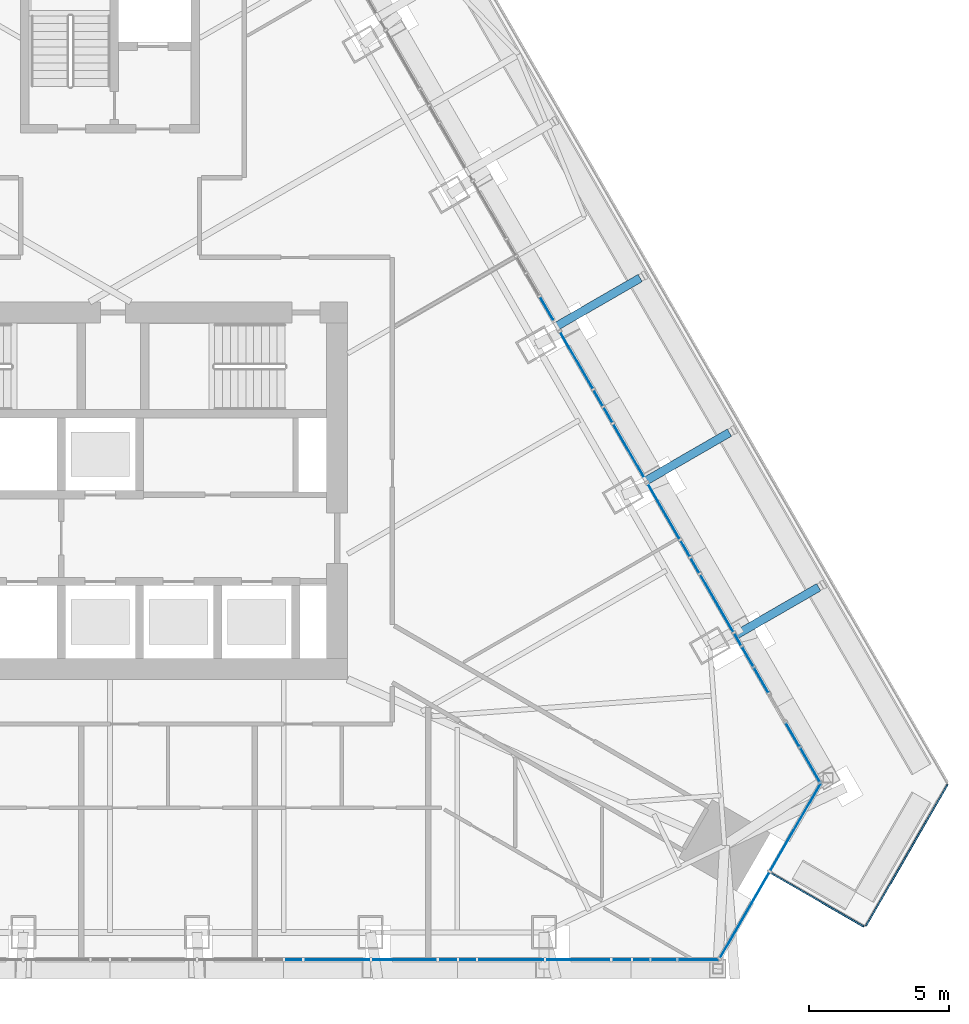
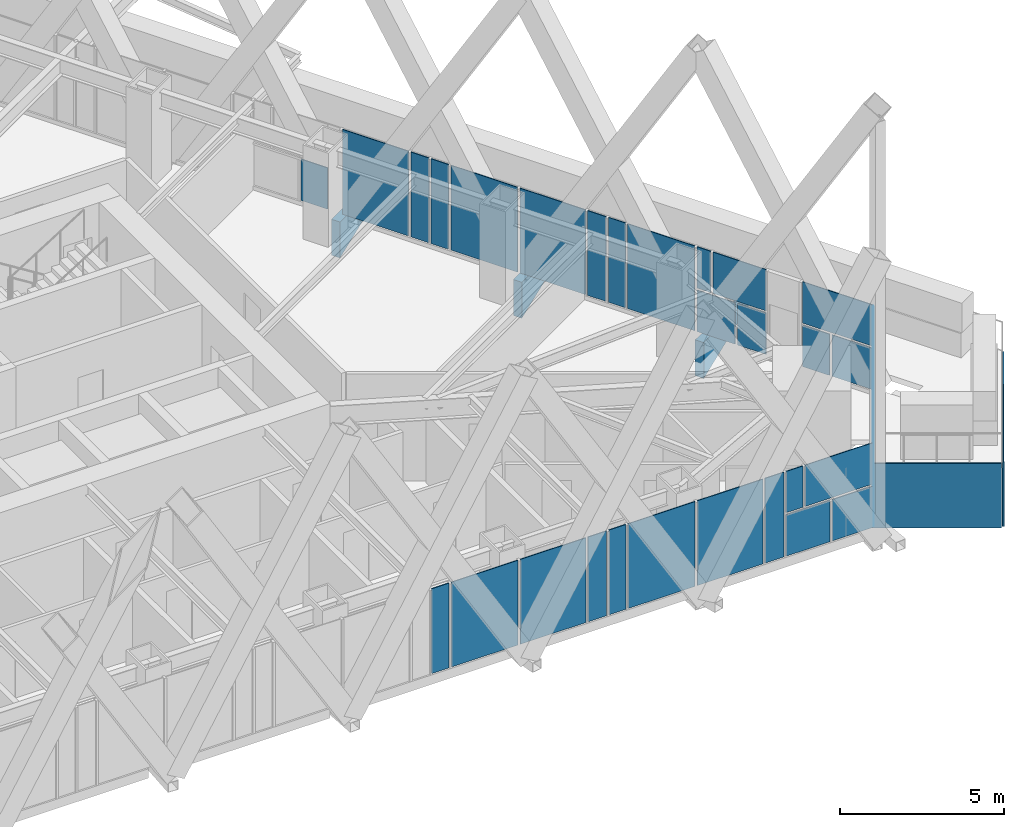
# One storey, part 12 of 23: 35 plates, 3 elements without a shape of their own.
"""IFC4 building model written with IfcOpenShell, lengths in metres."""

from ifc_helpers import new_model, si_unit, direction, frame, origin, place, context, subcontext, project, spatial, polyline, outline, extrude, material, layer, layer_set, type_object, element, aggregate, save


model = new_model("IFC4")

# Units and contexts
model_context = context("Model", 3, precision=1e-05, world=origin(), true_north=direction((0.0, 1.0)))
body_context = subcontext(model_context, "Body", "Model", "MODEL_VIEW")
ifc_project = project(units=[si_unit("LENGTHUNIT", "METRE"), si_unit("AREAUNIT", "SQUARE_METRE"), si_unit("VOLUMEUNIT", "CUBIC_METRE"), si_unit("PLANEANGLEUNIT", "RADIAN"), si_unit("MASSUNIT", "GRAM", prefix="KILO")], contexts=[model_context])

# Site, building, storey
site_placement = place(None, origin())
site = spatial("IfcSite", under=ifc_project, at=site_placement, CompositionType="ELEMENT")
building_placement = place(site_placement, origin())
building = spatial("IfcBuilding", under=site, at=building_placement, Name="Firuza Gate Tower and Library", CompositionType="ELEMENT")
storey_placement = place(building_placement, frame((0.0, 0.0, 291.60009765625)))
storey = spatial("IfcBuildingStorey", under=building, at=storey_placement, Name="L70", CompositionType="ELEMENT", Elevation=291.60009765625)

# Curtain wall, plates
ifc_material_1 = material(Name="Aluminium 6063-T6", Category="aluminium")
ifc_layer_1 = layer(ifc_material_1, 0.14990234375)
ifc_layer_set_1 = layer_set([ifc_layer_1], Name="Corner curtain wall, chamfers")
curtain_wall_type_1 = type_object("IfcCurtainWallType", Name="Corner curtain wall, chamfers", PredefinedType="NOTDEFINED", material=ifc_layer_set_1)
placement = place(storey_placement, origin())
curtain_wall_1 = element("IfcCurtainWall", 1, at=placement, inside=storey, type_object=curtain_wall_type_1, Name="CW4 L70 SE corner", PredefinedType="NOTDEFINED")
ifc_material_2 = material(Name="Fritted glass", Category="glass")
ifc_layer_2 = layer(ifc_material_2, 0.030029296875)
ifc_layer_set_2 = layer_set([ifc_layer_2], Name="Fritted glass unit, corners")
plate_type_1 = type_object("IfcPlateType", Name="Fritted glass unit, corners", PredefinedType="CURTAIN_PANEL", material=ifc_layer_set_2)
plate_1_placement = place(storey_placement, frame((96.822998046875, 58.23974609375, 0.14990234375), z_axis=(0.866046390552, -0.49996364809, 0.0), x_axis=(0.49996364809, 0.866046390552, 0.0)))
plate_1 = element("IfcPlate", 2, at=plate_1_placement, type_object=plate_type_1, Name="Glass unit", PredefinedType="CURTAIN_PANEL", context=body_context, shape_type="SweptSolid", body=[
    extrude(outline(polyline([(0.0, 0.0), (3.563247342942594, 0.0), (3.563247342942594, 3.14990234375), (0.0, 3.14990234375), (0.0, 0.0)])), origin(), (0.0, 0.0, -1.0), 0.030029296875),
])
plate_2_placement = place(storey_placement, frame((98.64453125, 61.39501953125, 0.14990234375), z_axis=(0.866016723041, -0.500015035186, 0.0), x_axis=(0.500015035186, 0.866016723041, 0.0)))
plate_2 = element("IfcPlate", 3, at=plate_2_placement, type_object=plate_type_1, Name="Glass unit", PredefinedType="CURTAIN_PANEL", context=body_context, shape_type="SweptSolid", body=[
    extrude(outline(polyline([(0.0, 0.0), (3.5633694106530625, 0.0), (3.5633694106530625, 3.14990234375), (0.0, 3.14990234375), (0.0, 0.0)])), origin(), (0.0, 0.0, -1.0), 0.030029296875),
])
aggregate(curtain_wall_1, [plate_1, plate_2])

ifc_material_3 = material(Name="Aluminium 6063-T6", Category="aluminium")
ifc_layer_3 = layer(ifc_material_3, 0.14990234375)
ifc_layer_set_3 = layer_set([ifc_layer_3], Name="Unitised curtain wall, residences")
curtain_wall_type_2 = type_object("IfcCurtainWallType", Name="Unitised curtain wall, residences", PredefinedType="NOTDEFINED", material=ifc_layer_set_3)
curtain_wall_2 = element("IfcCurtainWall", 4, at=placement, inside=storey, type_object=curtain_wall_type_2, Name="CW3 L70 S face", PredefinedType="NOTDEFINED")
ifc_material_4 = material(Name="Fritted glass", Category="glass")
ifc_layer_4 = layer(ifc_material_4, 0.030029296875)
ifc_layer_set_4 = layer_set([ifc_layer_4], Name="Fritted glass unit, residences")
plate_type_2 = type_object("IfcPlateType", Name="Fritted glass unit, residences", PredefinedType="CURTAIN_PANEL", material=ifc_layer_set_4)
plate_3_placement = place(storey_placement, frame((81.265625, 58.19775390625, 0.14990234375), z_axis=(0.0, -1.0, 0.0), x_axis=(1.0, 0.0, 0.0)))
plate_3 = element("IfcPlate", 5, at=plate_3_placement, type_object=plate_type_2, Name="Glass unit", PredefinedType="CURTAIN_PANEL", context=body_context, shape_type="SweptSolid", body=[
    extrude(outline(polyline([(0.0, 0.0), (0.60986328125, 0.0), (0.60986328125, 3.14990234375), (0.0, 3.14990234375), (0.0, 0.0)])), origin(), (0.0, 0.0, -1.0), 0.030029296875),
])
plate_4_placement = place(storey_placement, frame((86.764404296875, 58.19775390625, 0.14990234375), z_axis=(0.0, -1.0, 0.0), x_axis=(1.0, 0.0, 0.0)))
plate_4 = element("IfcPlate", 6, at=plate_4_placement, type_object=plate_type_2, Name="Glass unit", PredefinedType="CURTAIN_PANEL", context=body_context, shape_type="SweptSolid", body=[
    extrude(outline(polyline([(0.0, 0.0), (0.64697265625, 0.0), (0.64697265625, 3.14990234375), (0.0, 3.14990234375), (0.0, 0.0)])), origin(), (0.0, 0.0, -1.0), 0.030029296875),
])
plate_5_placement = place(storey_placement, frame((87.491455078125, 58.19775390625, 0.14990234375), z_axis=(0.0, -1.0, 0.0), x_axis=(1.0, 0.0, 0.0)))
plate_5 = element("IfcPlate", 7, at=plate_5_placement, type_object=plate_type_2, Name="Glass unit", PredefinedType="CURTAIN_PANEL", context=body_context, shape_type="SweptSolid", body=[
    extrude(outline(polyline([(0.0, 0.0), (0.597412109375, 0.0), (0.597412109375, 3.14990234375), (0.0, 3.14990234375), (0.0, 0.0)])), origin(), (0.0, 0.0, -1.0), 0.030029296875),
])
plate_6_placement = place(storey_placement, frame((92.977783203125, 58.19775390625, 0.14990234375), z_axis=(0.0, -1.0, 0.0), x_axis=(1.0, 0.0, 0.0)))
plate_6 = element("IfcPlate", 8, at=plate_6_placement, type_object=plate_type_2, Name="Glass unit", PredefinedType="CURTAIN_PANEL", context=body_context, shape_type="SweptSolid", body=[
    extrude(outline(polyline([(0.0, 0.0), (0.659423828125, 0.0), (0.659423828125, 3.14990234375), (0.0, 3.14990234375), (0.0, 0.0)])), origin(), (0.0, 0.0, -1.0), 0.030029296875),
])
plate_7_placement = place(storey_placement, frame((93.717041015625, 58.19775390625, 0.14990234375), z_axis=(0.0, -1.0, 0.0), x_axis=(1.0, 0.0, 0.0)))
plate_7 = element("IfcPlate", 9, at=plate_7_placement, type_object=plate_type_2, Name="Glass unit", PredefinedType="CURTAIN_PANEL", context=body_context, shape_type="SweptSolid", body=[
    extrude(outline(polyline([(0.0, 0.0), (1.540771484375, 0.0), (1.540771484375, 1.534912109375), (0.0, 1.534912109375), (0.0, 0.0)])), origin(), (0.0, 0.0, -1.0), 0.030029296875),
])
plate_8_placement = place(storey_placement, frame((93.717041015625, 58.19775390625, 1.764892578125), z_axis=(0.0, -1.0, 0.0), x_axis=(1.0, 0.0, 0.0)))
plate_8 = element("IfcPlate", 10, at=plate_8_placement, type_object=plate_type_2, Name="Glass unit", PredefinedType="CURTAIN_PANEL", context=body_context, shape_type="SweptSolid", body=[
    extrude(outline(polyline([(0.0, 0.0), (0.585205078125, 0.0), (0.585205078125, 1.534912109375), (0.0, 1.534912109375), (0.0, 0.0)])), origin(), (0.0, 0.0, -1.0), 0.030029296875),
])

curtain_wall_3 = element("IfcCurtainWall", 11, at=placement, inside=storey, type_object=curtain_wall_type_2, Name="CW3 L70 E face", PredefinedType="NOTDEFINED")
plate_9_placement = place(storey_placement, frame((99.68017578125, 65.857421875, 0.14990234375), z_axis=(0.866031159827, 0.499990030109, 0.0), x_axis=(-0.499990030109, 0.866031159827, 0.0)))
plate_9 = element("IfcPlate", 12, at=plate_9_placement, type_object=plate_type_2, Name="Glass unit", PredefinedType="CURTAIN_PANEL", context=body_context, shape_type="SweptSolid", body=[
    extrude(outline(polyline([(0.0, 0.0), (0.9477728046339184, 0.0), (0.9477728046339184, 1.5349121093750004), (0.0, 1.5349121093750004), (0.0, 0.0)])), origin(), (0.0, 0.0, -1.0), 0.030029296875),
])
plate_10_placement = place(storey_placement, frame((98.566162109375, 67.786865234375, 0.14990234375), z_axis=(0.866028258222, 0.499995055936, 0.0), x_axis=(-0.499995055936, 0.866028258222, 0.0)))
plate_10 = element("IfcPlate", 13, at=plate_10_placement, type_object=plate_type_2, Name="Glass unit", PredefinedType="CURTAIN_PANEL", context=body_context, shape_type="SweptSolid", body=[
    extrude(outline(polyline([(0.0, 0.0), (1.0078224654776948, 0.0), (1.0078224654776948, 1.534912109375), (0.0, 1.534912109375), (0.0, 0.0)])), origin(), (0.0, 0.0, -1.0), 0.030029296875),
])
plate_11_placement = place(storey_placement, frame((97.59423828125, 69.47021484375, 1.764892578125), z_axis=(0.866177148088, 0.499737079002, 0.0), x_axis=(-0.499737079002, 0.866177148088, 0.0)))
plate_11 = element("IfcPlate", 14, at=plate_11_placement, type_object=plate_type_2, Name="Glass unit", PredefinedType="CURTAIN_PANEL", context=body_context, shape_type="SweptSolid", body=[
    extrude(outline(polyline([(0.0, 0.0), (0.4816986098581647, 0.0), (0.4816986098581647, 1.534912109375), (0.0, 1.534912109375), (0.0, 0.0)])), origin(), (0.0, 0.0, -1.0), 0.030029296875),
])
plate_12_placement = place(storey_placement, frame((96.095703125, 72.06591796875, 0.14990234375), z_axis=(0.86592013909, 0.500182279493, 0.0), x_axis=(-0.500182279493, 0.86592013909, 0.0)))
plate_12 = element("IfcPlate", 15, at=plate_12_placement, type_object=plate_type_2, Name="Glass unit", PredefinedType="CURTAIN_PANEL", context=body_context, shape_type="SweptSolid", body=[
    extrude(outline(polyline([(0.0, 0.0), (0.5974384484449661, 0.0), (0.5974384484449661, 3.14990234375), (0.0, 3.14990234375), (0.0, 0.0)])), origin(), (0.0, 0.0, -1.0), 0.030029296875),
])
plate_13_placement = place(storey_placement, frame((95.757080078125, 72.652587890625, 0.14990234375), z_axis=(0.866028486751, 0.499994660107, 0.0), x_axis=(-0.499994660107, 0.866028486751, 0.0)))
plate_13 = element("IfcPlate", 16, at=plate_13_placement, type_object=plate_type_2, Name="Glass unit", PredefinedType="CURTAIN_PANEL", context=body_context, shape_type="SweptSolid", body=[
    extrude(outline(polyline([(0.0, 0.0), (0.6469795658534333, 0.0), (0.6469795658534333, 3.14990234375), (0.0, 3.14990234375), (0.0, 0.0)])), origin(), (0.0, 0.0, -1.0), 0.030029296875),
])
plate_14_placement = place(storey_placement, frame((92.989013671875, 77.44677734375, 0.14990234375), z_axis=(0.865992225662, 0.50005746179, 0.0), x_axis=(-0.50005746179, 0.865992225662, 0.0)))
plate_14 = element("IfcPlate", 17, at=plate_14_placement, type_object=plate_type_2, Name="Glass unit", PredefinedType="CURTAIN_PANEL", context=body_context, shape_type="SweptSolid", body=[
    extrude(outline(polyline([(0.0, 0.0), (0.609793201631839, 0.0), (0.609793201631839, 3.14990234375), (0.0, 3.14990234375), (0.0, 0.0)])), origin(), (0.0, 0.0, -1.0), 0.030029296875),
])
plate_15_placement = place(storey_placement, frame((92.64404296875, 78.044189453125, 0.14990234375), z_axis=(0.866127928132, 0.499822380561, 0.0), x_axis=(-0.499822380561, 0.866127928132, 0.0)))
plate_15 = element("IfcPlate", 18, at=plate_15_placement, type_object=plate_type_2, Name="Glass unit", PredefinedType="CURTAIN_PANEL", context=body_context, shape_type="SweptSolid", body=[
    extrude(outline(polyline([(0.0, 0.0), (0.634502743792482, 0.0), (0.634502743792482, 3.14990234375), (0.0, 3.14990234375), (0.0, 0.0)])), origin(), (0.0, 0.0, -1.0), 0.030029296875),
])

# Plate
ifc_material_5 = material(Name="Glazed ceramic tile")
ifc_layer_5 = layer(ifc_material_5, 0.030029296875)
ifc_layer_set_5 = layer_set([ifc_layer_5], Name="Opaque ceramic panel, residences")
plate_type_3 = type_object("IfcPlateType", Name="Opaque ceramic panel, residences", PredefinedType="CURTAIN_PANEL", material=ifc_layer_set_5)
plate_16_placement = place(storey_placement, frame((81.95556640625, 58.19775390625, 0.14990234375), z_axis=(0.0, -1.0, 0.0), x_axis=(1.0, 0.0, 0.0)))
plate_16 = element("IfcPlate", 19, at=plate_16_placement, type_object=plate_type_3, Name="Opaque ceramic panel", PredefinedType="CURTAIN_PANEL", context=body_context, shape_type="SweptSolid", body=[
    extrude(outline(polyline([(0.0, 0.0), (2.343017578125, 0.0), (2.343017578125, 3.14990234375), (0.0, 3.14990234375), (0.0, 0.0)])), origin(), (0.0, 0.0, -1.0), 0.030029296875),
])

plate_17_placement = place(storey_placement, frame((84.378662109375, 58.19775390625, 0.14990234375), z_axis=(0.0, -1.0, 0.0), x_axis=(1.0, 0.0, 0.0)))
plate_17 = element("IfcPlate", 20, at=plate_17_placement, type_object=plate_type_3, Name="Opaque ceramic panel", PredefinedType="CURTAIN_PANEL", context=body_context, shape_type="SweptSolid", body=[
    extrude(outline(polyline([(0.0, 0.0), (2.305908203125, 0.0), (2.305908203125, 3.14990234375), (0.0, 3.14990234375), (0.0, 0.0)])), origin(), (0.0, 0.0, -1.0), 0.030029296875),
])

plate_18_placement = place(storey_placement, frame((88.1689453125, 58.19775390625, 0.14990234375), z_axis=(0.0, -1.0, 0.0), x_axis=(1.0, 0.0, 0.0)))
plate_18 = element("IfcPlate", 21, at=plate_18_placement, type_object=plate_type_3, Name="Opaque ceramic panel", PredefinedType="CURTAIN_PANEL", context=body_context, shape_type="SweptSolid", body=[
    extrude(outline(polyline([(0.0, 0.0), (2.355224609375, 0.0), (2.355224609375, 3.14990234375), (0.0, 3.14990234375), (0.0, 0.0)])), origin(), (0.0, 0.0, -1.0), 0.030029296875),
])

plate_19_placement = place(storey_placement, frame((90.604248046875, 58.19775390625, 0.14990234375), z_axis=(0.0, -1.0, 0.0), x_axis=(1.0, 0.0, 0.0)))
plate_19 = element("IfcPlate", 22, at=plate_19_placement, type_object=plate_type_3, Name="Opaque ceramic panel", PredefinedType="CURTAIN_PANEL", context=body_context, shape_type="SweptSolid", body=[
    extrude(outline(polyline([(0.0, 0.0), (2.29345703125, 0.0), (2.29345703125, 3.14990234375), (0.0, 3.14990234375), (0.0, 0.0)])), origin(), (0.0, 0.0, -1.0), 0.030029296875),
])

plate_20_placement = place(storey_placement, frame((95.337890625, 58.19775390625, 0.14990234375), z_axis=(0.0, -1.0, 0.0), x_axis=(1.0, 0.0, 0.0)))
plate_20 = element("IfcPlate", 23, at=plate_20_placement, type_object=plate_type_3, Name="Opaque ceramic panel", PredefinedType="CURTAIN_PANEL", context=body_context, shape_type="SweptSolid", body=[
    extrude(outline(polyline([(0.0, 0.0), (1.412109375, 0.0), (1.412109375, 1.534912109375), (0.0, 1.534912109375), (0.0, 0.0)])), origin(), (0.0, 0.0, -1.0), 0.030029296875),
])

plate_21_placement = place(storey_placement, frame((94.38232421875, 58.19775390625, 1.764892578125), z_axis=(0.0, -1.0, 0.0), x_axis=(1.0, 0.0, 0.0)))
plate_21 = element("IfcPlate", 24, at=plate_21_placement, type_object=plate_type_3, Name="Opaque ceramic panel", PredefinedType="CURTAIN_PANEL", context=body_context, shape_type="SweptSolid", body=[
    extrude(outline(polyline([(0.0, 0.0), (2.36767578125, 0.0), (2.36767578125, 1.534912109375), (0.0, 1.534912109375), (0.0, 0.0)])), origin(), (0.0, 0.0, -1.0), 0.030029296875),
])

aggregate(curtain_wall_2, [plate_3, plate_16, plate_17, plate_4, plate_5, plate_18, plate_19, plate_6, plate_7, plate_20, plate_8, plate_21])

plate_22_placement = place(storey_placement, frame((100.42626953125, 64.565185546875, 0.14990234375), z_axis=(0.866021473228, 0.500006807861, 0.0), x_axis=(-0.500006807861, 0.866021473228, 0.0)))
plate_22 = element("IfcPlate", 25, at=plate_22_placement, type_object=plate_type_3, Name="Opaque ceramic panel", PredefinedType="CURTAIN_PANEL", context=body_context, shape_type="SweptSolid", body=[
    extrude(outline(polyline([(0.0, 0.0), (1.4120901483727943, 0.0), (1.4120901483727943, 1.534912109375), (0.0, 1.534912109375), (0.0, 0.0)])), origin(), (0.0, 0.0, -1.0), 0.030029296875),
])

plate_23_placement = place(storey_placement, frame((100.42626953125, 64.565185546875, 1.764892578125), z_axis=(0.866023955769, 0.500002508028, 0.0), x_axis=(-0.500002508028, 0.866023955769, 0.0)))
plate_23 = element("IfcPlate", 26, at=plate_23_placement, type_object=plate_type_3, Name="Opaque ceramic panel", PredefinedType="CURTAIN_PANEL", context=body_context, shape_type="SweptSolid", body=[
    extrude(outline(polyline([(0.0, 0.0), (2.4399291674307193, 0.0), (2.4399291674307193, 1.534912109375), (0.0, 1.534912109375), (0.0, 0.0)])), origin(), (0.0, 0.0, -1.0), 0.030029296875),
])

plate_24_placement = place(storey_placement, frame((98.022216796875, 68.72900390625, 0.14990234375), z_axis=(0.866067054045, 0.499927852693, 0.0), x_axis=(-0.499927852693, 0.866067054045, 0.0)))
plate_24 = element("IfcPlate", 27, at=plate_24_placement, type_object=plate_type_3, Name="Opaque ceramic panel", PredefinedType="CURTAIN_PANEL", context=body_context, shape_type="SweptSolid", body=[
    extrude(outline(polyline([(0.0, 0.0), (1.3375953515548107, 0.0), (1.3375953515548107, 1.534912109375), (0.0, 1.534912109375), (0.0, 0.0)])), origin(), (0.0, 0.0, -1.0), 0.030029296875),
])

plate_25_placement = place(storey_placement, frame((98.566162109375, 67.786865234375, 1.764892578125), z_axis=(0.866017611601, 0.500013496215, 0.0), x_axis=(-0.500013496215, 0.866017611601, 0.0)))
plate_25 = element("IfcPlate", 28, at=plate_25_placement, type_object=plate_type_3, Name="Opaque ceramic panel", PredefinedType="CURTAIN_PANEL", context=body_context, shape_type="SweptSolid", body=[
    extrude(outline(polyline([(0.0, 0.0), (1.8637192249379684, 0.0), (1.8637192249379684, 1.534912109375), (0.0, 1.534912109375), (0.0, 0.0)])), origin(), (0.0, 0.0, -1.0), 0.030029296875),
])

plate_26_placement = place(storey_placement, frame((97.3134765625, 69.956787109375, 0.14990234375), z_axis=(0.866014699009, 0.500018540756, 0.0), x_axis=(-0.500018540756, 0.866014699009, 0.0)))
plate_26 = element("IfcPlate", 29, at=plate_26_placement, type_object=plate_type_3, Name="Opaque ceramic panel", PredefinedType="CURTAIN_PANEL", context=body_context, shape_type="SweptSolid", body=[
    extrude(outline(polyline([(0.0, 0.0), (2.3553814088940412, 0.0), (2.3553814088940412, 3.14990234375), (0.0, 3.14990234375), (0.0, 0.0)])), origin(), (0.0, 0.0, -1.0), 0.030029296875),
])

plate_27_placement = place(storey_placement, frame((95.3935546875, 73.2822265625, 0.14990234375), z_axis=(0.865986332649, 0.500067667087, 0.0), x_axis=(-0.500067667087, 0.865986332649, 0.0)))
plate_27 = element("IfcPlate", 30, at=plate_27_placement, type_object=plate_type_3, Name="Opaque ceramic panel", PredefinedType="CURTAIN_PANEL", context=body_context, shape_type="SweptSolid", body=[
    extrude(outline(polyline([(0.0, 0.0), (2.305840284761907, 0.0), (2.305840284761907, 3.14990234375), (0.0, 3.14990234375), (0.0, 0.0)])), origin(), (0.0, 0.0, -1.0), 0.030029296875),
])

plate_28_placement = place(storey_placement, frame((94.200439453125, 75.348388671875, 0.14990234375), z_axis=(0.866041560861, 0.499972014079, 0.0), x_axis=(-0.499972014079, 0.866041560861, 0.0)))
plate_28 = element("IfcPlate", 31, at=plate_28_placement, type_object=plate_type_3, Name="Opaque ceramic panel", PredefinedType="CURTAIN_PANEL", context=body_context, shape_type="SweptSolid", body=[
    extrude(outline(polyline([(0.0, 0.0), (2.342904574185333, 0.0), (2.342904574185333, 3.1499023437499996), (0.0, 3.1499023437499996), (0.0, 0.0)])), origin(), (0.0, 0.0, -1.0), 0.030029296875),
])

plate_29_placement = place(storey_placement, frame((92.286865234375, 78.6630859375, 0.14990234375), z_axis=(0.866004939458, 0.500035443578, 0.0), x_axis=(-0.500035443578, 0.866004939458, 0.0)))
plate_29 = element("IfcPlate", 32, at=plate_29_placement, type_object=plate_type_3, Name="Opaque ceramic panel", PredefinedType="CURTAIN_PANEL", context=body_context, shape_type="SweptSolid", body=[
    extrude(outline(polyline([(0.0, 0.0), (2.3181950447441277, 0.0), (2.3181950447441277, 3.14990234375), (0.0, 3.14990234375), (0.0, 0.0)])), origin(), (0.0, 0.0, -1.0), 0.030029296875),
])

plate_30_placement = place(storey_placement, frame((90.861083984375, 81.132568359375, 0.14990234375), z_axis=(0.865951757719, 0.500127537037, 0.0), x_axis=(-0.500127537037, 0.865951757719, 0.0)))
plate_30 = element("IfcPlate", 33, at=plate_30_placement, type_object=plate_type_3, Name="Opaque ceramic panel", PredefinedType="CURTAIN_PANEL", context=body_context, shape_type="SweptSolid", body=[
    extrude(outline(polyline([(0.0, 0.0), (0.9216399135523798, 0.0), (0.9216399135523798, 1.534912109375), (0.0, 1.534912109375), (0.0, 0.0)])), origin(), (0.0, 0.0, -1.0), 0.030029296875),
])

aggregate(curtain_wall_3, [plate_22, plate_9, plate_23, plate_10, plate_24, plate_25, plate_11, plate_26, plate_12, plate_13, plate_27, plate_28, plate_14, plate_15, plate_29, plate_30])

# Plates
ifc_material_6 = material(Name="Steel S355", Category="steel")
ifc_layer_6 = layer(ifc_material_6, 0.300048828125)
ifc_layer_set_6 = layer_set([ifc_layer_6], Name="Tray bracket web 300 Steel S355")
plate_type_4 = type_object("IfcPlateType", Name="Tray bracket web 300 Steel S355", PredefinedType="SHEET", material=ifc_layer_set_6)
plate_31_placement = place(storey_placement, frame((97.31396484375, 69.9580078125, -0.2001953125), z_axis=(-0.500081895979, 0.865978115955, 0.0), x_axis=(0.865978115955, 0.500081895979, 0.0)))
element("IfcPlate", 34, at=plate_31_placement, inside=storey, type_object=plate_type_4, Name="Tray bracket web L70 col:L69:E1", PredefinedType="SHEET", context=body_context, shape_type="SweptSolid", body=[
    extrude(outline(polyline([(0.0, 0.0), (3.429614038049955, 0.0), (0.0, 1.333984375), (0.0, 0.0)])), origin(), (0.0, 0.0, -1.0), 0.300048828125),
])
plate_32_placement = place(storey_placement, frame((94.118896484375, 75.490966796875, -0.2001953125), z_axis=(-0.50005106974, 0.865995916649, 0.0), x_axis=(0.865995916649, 0.50005106974, 0.0)))
element("IfcPlate", 35, at=plate_32_placement, inside=storey, type_object=plate_type_4, Name="Tray bracket web L70 col:L69:E2", PredefinedType="SHEET", context=body_context, shape_type="SweptSolid", body=[
    extrude(outline(polyline([(0.0, 0.0), (3.429825460661424, 0.0), (0.0, 1.333984375), (0.0, 0.0)])), origin(), (0.0, 0.0, -1.0), 0.300048828125),
])
plate_33_placement = place(storey_placement, frame((90.924072265625, 81.02490234375, -0.2001953125), z_axis=(-0.499868315584, 0.86610141847, 0.0), x_axis=(0.86610141847, 0.499868315584, 0.0)))
element("IfcPlate", 36, at=plate_33_placement, inside=storey, type_object=plate_type_4, Name="Tray bracket web L70 col:L69:E3", PredefinedType="SHEET", context=body_context, shape_type="SweptSolid", body=[
    extrude(outline(polyline([(0.0, 0.0), (3.4291257811032914, 0.0), (0.0, 1.333984375), (0.0, 0.0)])), origin(), (0.0, 0.0, -1.0), 0.300048828125),
])
ifc_material_7 = material(Name="Aluminium 6063-T6", Category="aluminium")
ifc_layer_7 = layer(ifc_material_7, 0.050048828125)
ifc_layer_set_7 = layer_set([ifc_layer_7], Name="Tray fascia panel 50")
plate_type_5 = type_object("IfcPlateType", Name="Tray fascia panel 50", PredefinedType="SHEET", material=ifc_layer_set_7)
plate_34_placement = place(storey_placement, frame((102.069091796875, 59.406005859375, -2.400146484375), z_axis=(0.866025730634, -0.499999433879, 0.0), x_axis=(0.499999433879, 0.866025730634, 0.0)))
element("IfcPlate", 37, at=plate_34_placement, inside=storey, type_object=plate_type_5, Name="Tray fascia L70 1", PredefinedType="SHEET", context=body_context, shape_type="SweptSolid", body=[
    extrude(outline(polyline([(0.0, 0.0), (5.849615998176812, 0.0), (5.849615998176812, 2.400146484375), (0.0, 2.400146484375), (0.0, 0.0)])), origin(), (0.0, 0.0, -1.0), 0.050048828125),
])
plate_35_placement = place(storey_placement, frame((98.548095703125, 61.346923828125, -2.400146484375), z_axis=(-0.500024631762, -0.866011182163, 0.0), x_axis=(0.866011182163, -0.500024631762, 0.0)))
element("IfcPlate", 38, at=plate_35_placement, inside=storey, type_object=plate_type_5, Name="Tray fascia L70 10", PredefinedType="SHEET", context=body_context, shape_type="SweptSolid", body=[
    extrude(outline(polyline([(0.0, 0.0), (3.939747320413783, 0.0), (3.939747320413783, 2.400146484375), (0.0, 2.400146484375), (0.0, 0.0)])), origin(), (0.0, 0.0, -1.0), 0.050048828125),
])

save(model, "model.ifc")
